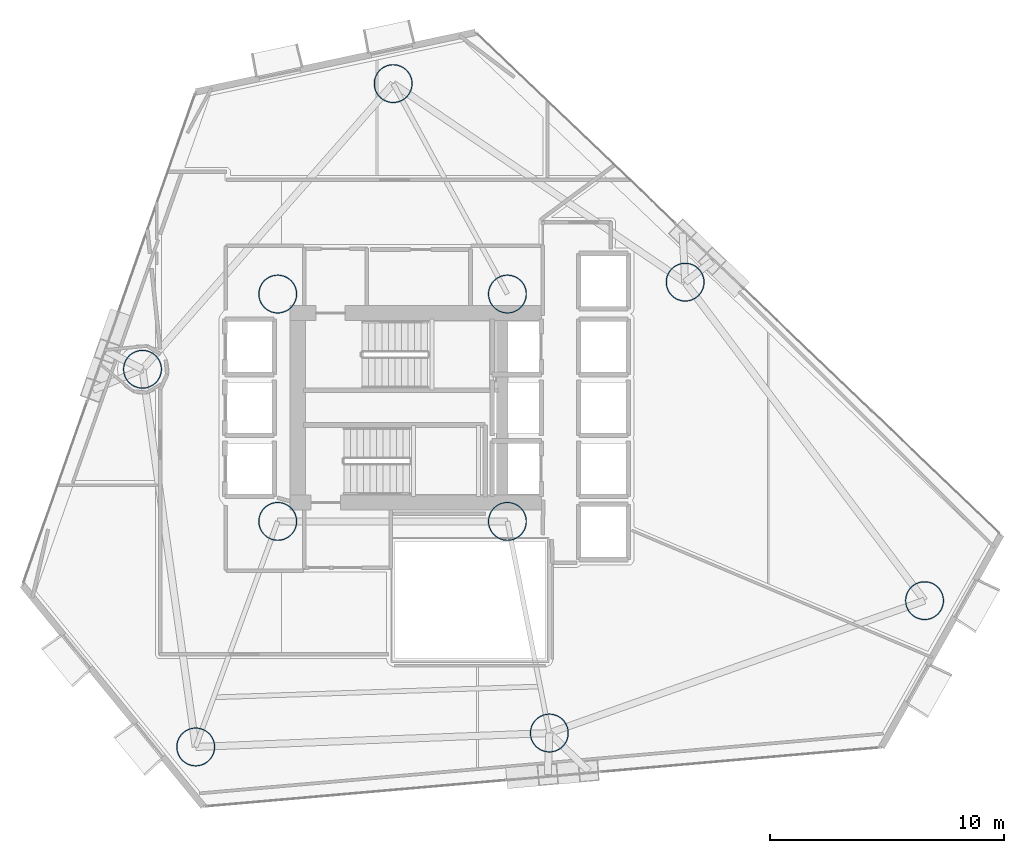
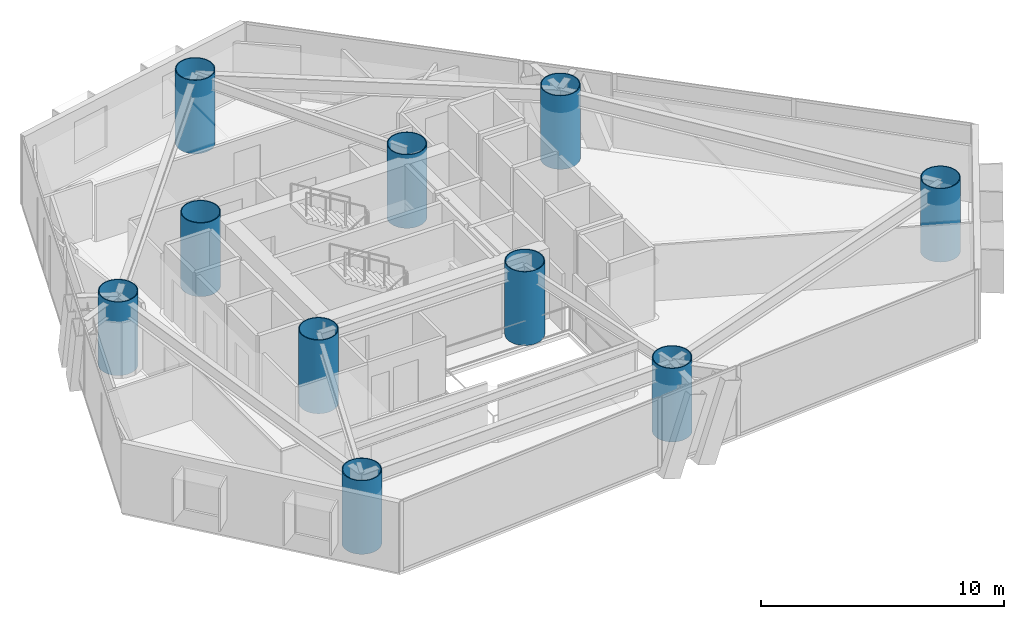
# One storey, part 1 of 23: 10 columns.
"""IFC4 building model written with IfcOpenShell, lengths in metres."""

from ifc_helpers import new_model, si_unit, direction, frame, origin, origin_2d, place, context, subcontext, project, spatial, hollow_circle, extrude, material, material_profile, profile_set, type_object, element, save


model = new_model("IFC4")

# Units and contexts
model_context = context("Model", 3, precision=1e-05, world=origin(), true_north=direction((0.0, 1.0)))
body_context = subcontext(model_context, "Body", "Model", "MODEL_VIEW")
ifc_project = project(units=[si_unit("LENGTHUNIT", "METRE"), si_unit("AREAUNIT", "SQUARE_METRE"), si_unit("VOLUMEUNIT", "CUBIC_METRE"), si_unit("PLANEANGLEUNIT", "RADIAN"), si_unit("MASSUNIT", "GRAM", prefix="KILO")], contexts=[model_context])

# Site, building, storey
site_placement = place(None, origin())
site = spatial("IfcSite", under=ifc_project, at=site_placement, CompositionType="ELEMENT")
building_placement = place(site_placement, origin())
building = spatial("IfcBuilding", under=site, at=building_placement, Name="Qianvela Tower", CompositionType="ELEMENT")
storey_placement = place(building_placement, frame((0.0, 0.0, 63.60009765625)))
storey = spatial("IfcBuildingStorey", under=building, at=storey_placement, Name="L15", CompositionType="ELEMENT", Elevation=63.60009765625)

# Columns
ifc_material = material(Name="Steel Q420GJC", Category="steel")
ifc_material_profile = material_profile(ifc_material, hollow_circle(Radius=0.824951171875, WallThickness=0.0400390625, at=origin_2d()), Name="CFT-1650x40")
ifc_profile_set = profile_set([ifc_material_profile], Name="Steel Q420GJC")
column_type = type_object("IfcColumnType", Name="COL-CFT-1650x40", PredefinedType="COLUMN", material=ifc_profile_set)
for number, where, z_axis, x_axis, name in (
    (1, (28.60009765625, 33.550048828125, 0.0), (0.0, 0.0, 1.0), (1.0, 0.0, 0.0), "L15 Core Corner Mega-Column CC-NW"),
    (2, (28.60009765625, 23.85009765625, 0.0), (0.0, 0.0, 1.0), (1.0, 0.0, 0.0), "L15 Core Corner Mega-Column CC-SW"),
    (3, (38.39990234375, 33.550048828125, 0.0), (0.0, 0.0, 1.0), (1.0, 0.0, 0.0), "L15 Core Corner Mega-Column CC-NE"),
    (4, (38.39990234375, 23.85009765625, 0.0), (0.0, 0.0, 1.0), (1.0, 0.0, 0.0), "L15 Core Corner Mega-Column CC-SE"),
    (5, (56.198974609375, 20.468017578125, 0.0), (0.0, 0.0, 1.0), (1.0, 0.0, 0.0), "L15 Zone Z2 CFT Mega-Column C1"),
    (6, (45.98388671875, 34.056884765625, 0.0), (0.0, 0.0, 1.0), (1.0, 0.0, 0.0), "L15 Zone Z2 CFT Mega-Column C2"),
    (7, (33.52587890625, 42.529052734375, 0.0), (0.0, 0.0, 1.0), (1.0, 0.0, 0.0), "L15 Zone Z2 CFT Mega-Column C3"),
    (8, (22.8291015625, 30.340087890625, 0.0), (0.0, 0.0, 1.0), (1.0, 0.0, 0.0), "L15 Zone Z2 CFT Mega-Column C4"),
    (9, (25.10009765625, 14.22509765625, 0.0), (0.0, 0.0, 1.0), (1.0, 0.0, 0.0), "L15 Zone Z2 CFT Mega-Column C5"),
    (10, (40.18896484375, 14.819091796875, 0.0), (0.0, 0.0, 1.0), (1.0, 0.0, 0.0), "L15 Zone Z2 CFT Mega-Column C6"),
):
    element("IfcColumn", number, at=place(storey_placement, frame(where, z_axis=z_axis, x_axis=x_axis)), inside=storey, type_object=column_type, Name=name, PredefinedType="COLUMN", context=body_context, shape_type="SweptSolid", body=[
        extrude(hollow_circle(Radius=0.824951171875, WallThickness=0.0400390625, at=origin_2d()), origin(), (0.0, 0.0, 1.0), 3.699951171875),
    ])

save(model, "model.ifc")
